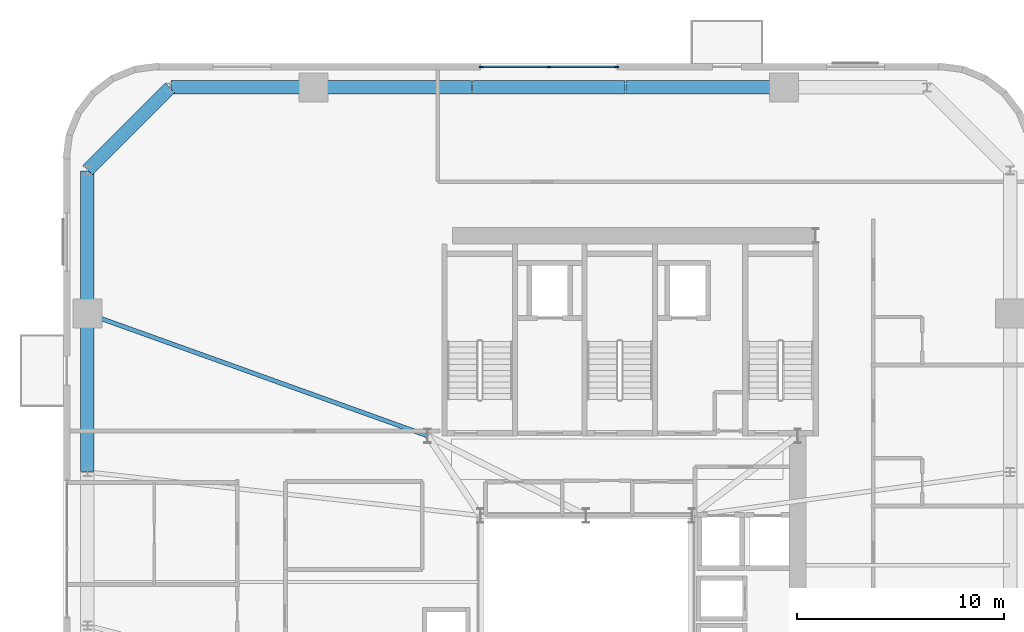
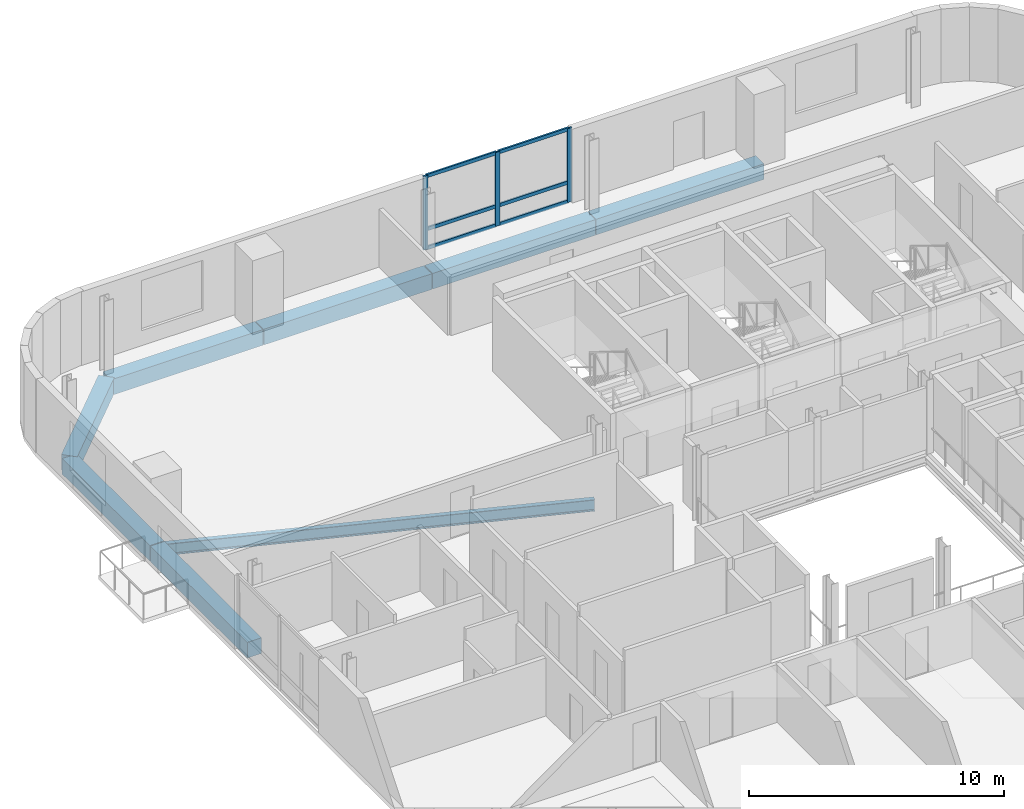
# One storey, part 5 of 13: 9 members, 8 beams, 1 element without a shape of its own.
"""IFC4 building model written with IfcOpenShell, lengths in metres."""

from ifc_helpers import new_model, si_unit, direction, frame, origin, origin_2d, place, context, subcontext, project, spatial, rectangle, i_section, extrude, source, transform, mapped, material, material_profile, profile_set, type_object, element, aggregate, save


model = new_model("IFC4")

# Units and contexts
model_context = context("Model", 3, precision=1e-05, world=origin(), true_north=direction((0.0, 1.0)))
body_context = subcontext(model_context, "Body", "Model", "MODEL_VIEW")
ifc_project = project(units=[si_unit("LENGTHUNIT", "METRE"), si_unit("AREAUNIT", "SQUARE_METRE"), si_unit("VOLUMEUNIT", "CUBIC_METRE"), si_unit("PLANEANGLEUNIT", "RADIAN"), si_unit("MASSUNIT", "GRAM", prefix="KILO")], contexts=[model_context])

# Site, building, storey
site_placement = place(None, origin())
site = spatial("IfcSite", under=ifc_project, at=site_placement, CompositionType="ELEMENT")
building_placement = place(site_placement, origin())
building = spatial("IfcBuilding", under=site, at=building_placement, Name="Vardaveli Station Tower", CompositionType="ELEMENT")
storey_placement = place(building_placement, frame((0.0, 0.0, 196.050048828125)))
storey = spatial("IfcBuildingStorey", under=building, at=storey_placement, Name="L50", CompositionType="ELEMENT", Elevation=196.050048828125)

# Beams
ifc_material_1 = material(Name="Precast concrete C45/55", Category="concrete")
ifc_material_profile_1 = material_profile(ifc_material_1, rectangle(XDim=0.64990234375, YDim=0.75, at=origin_2d()), Name="LPB 650x750")
ifc_profile_set_1 = profile_set([ifc_material_profile_1], Name="Precast concrete C45/55")
beam_type_1 = type_object("IfcBeamType", Name="BM-LPB-750", PredefinedType="BEAM", material=ifc_profile_set_1)
shared_shape_1 = source(origin(), body_context, "Body", "SweptSolid", [
    extrude(rectangle(XDim=0.64990234375, YDim=0.75, at=origin_2d()), origin(), (0.0, 0.0, 1.0), 7.60009765625),
])
for number, where, z_axis, x_axis, name in (
    (1, (45.820068359375, 47.449951171875, -0.594970703125), (-1.0, 0.0, 0.0), (0.0, -1.0, 0.0), "RBM-L50-13"),
    (2, (30.780029296875, 47.449951171875, -0.594970703125), (-1.0, 0.0, 0.0), (0.0, -1.0, 0.0), "RBM-L50-15"),
    (3, (12.25, 36.52001953125, -0.594970703125), (0.0, -1.0, 0.0), (1.0, 0.0, 0.0), "RBM-L50-19"),
):
    element("IfcBeam", number, at=place(storey_placement, frame(where, z_axis=z_axis, x_axis=x_axis)), inside=storey, type_object=beam_type_1, Name=name, PredefinedType="BEAM", context=body_context, shape_type="MappedRepresentation", body=[
        mapped(shared_shape_1, transform((0.0, 0.0, 0.0), scale=1.0)),
    ])
shared_shape_2 = source(origin(), body_context, "Body", "SweptSolid", [
    extrude(rectangle(XDim=0.64990234375, YDim=0.75, at=origin_2d()), origin(), (0.0, 0.0, 1.0), 7.35986328125),
])
beam_1_placement = place(storey_placement, frame((38.179931640625, 47.449951171875, -0.594970703125), z_axis=(-1.0, 0.0, 0.0), x_axis=(0.0, -1.0, 0.0)))
element("IfcBeam", 4, at=beam_1_placement, inside=storey, type_object=beam_type_1, Name="RBM-L50-14", PredefinedType="BEAM", context=body_context, shape_type="MappedRepresentation", body=[
    mapped(shared_shape_2, transform((0.0, 0.0, 0.0), scale=1.0)),
])
shared_shape_3 = source(origin(), body_context, "Body", "SweptSolid", [
    extrude(rectangle(XDim=0.64990234375, YDim=0.75, at=origin_2d()), origin(), (0.0, 0.0, 1.0), 6.869873046875),
])
for number, where, z_axis, x_axis, name in (
    (5, (23.139892578125, 47.449951171875, -0.594970703125), (-1.0, 0.0, 0.0), (0.0, -1.0, 0.0), "RBM-L50-16"),
    (6, (12.25, 43.429931640625, -0.594970703125), (0.0, -1.0, 0.0), (1.0, 0.0, 0.0), "RBM-L50-18"),
):
    element("IfcBeam", number, at=place(storey_placement, frame(where, z_axis=z_axis, x_axis=x_axis)), inside=storey, type_object=beam_type_1, Name=name, PredefinedType="BEAM", context=body_context, shape_type="MappedRepresentation", body=[
        mapped(shared_shape_3, transform((0.0, 0.0, 0.0), scale=1.0)),
    ])
shared_shape_4 = source(origin(), body_context, "Body", "SweptSolid", [
    extrude(rectangle(XDim=0.64990234375, YDim=0.75, at=origin_2d()), origin(), (0.0, 0.0, 1.0), 5.61669921875),
])
beam_2_placement = place(storey_placement, frame((16.23583984375, 47.435791015625, -0.594970703125), z_axis=(-0.707106781187, -0.707106781187, 0.0), x_axis=(0.707106781187, -0.707106781187, 0.0)))
element("IfcBeam", 7, at=beam_2_placement, inside=storey, type_object=beam_type_1, Name="RBM-L50-17", PredefinedType="BEAM", context=body_context, shape_type="MappedRepresentation", body=[
    mapped(shared_shape_4, transform((0.0, 0.0, 0.0), scale=1.0)),
])
ifc_material_2 = material(Name="Structural steel S355J2", Category="steel")
ifc_material_profile_2 = material_profile(ifc_material_2, i_section(OverallWidth=0.2099609375, OverallDepth=0.550048828125, WebThickness=0.010986328125, FlangeThickness=0.01708984375, FilletRadius=0.02392578125, at=origin_2d()), Name="IPE 550")
ifc_profile_set_2 = profile_set([ifc_material_profile_2], Name="Structural steel S355J2")
beam_type_2 = type_object("IfcBeamType", Name="BM-IPE550", PredefinedType="BEAM", material=ifc_profile_set_2)
shared_shape_5 = source(origin(), body_context, "Body", "SweptSolid", [
    extrude(i_section(OverallWidth=0.2099609375, OverallDepth=0.550048828125, WebThickness=0.010986328125, FlangeThickness=0.01708984375, FilletRadius=0.02392578125, at=origin_2d()), origin(), (0.0, 0.0, 1.0), 17.385498046875),
])
beam_3_placement = place(storey_placement, frame((12.268798828125, 36.533203125, -0.4951171875), z_axis=(0.941143134401, -0.338008284766, 0.0), x_axis=(0.338008284766, 0.941143134401, 0.0)))
element("IfcBeam", 8, at=beam_3_placement, inside=storey, type_object=beam_type_2, Name="GBM-L50-12", PredefinedType="BEAM", context=body_context, shape_type="MappedRepresentation", body=[
    mapped(shared_shape_5, transform((0.0, 0.0, 0.0), scale=1.0)),
])

# Curtain wall, members
ifc_material_3 = material(Name="Travertine stone and solar-control glass", Category="masonry")
curtain_wall_type = type_object("IfcCurtainWallType", Name="CW-SYS-5", PredefinedType="NOTDEFINED", material=ifc_material_3)
curtain_wall_placement = place(storey_placement, origin())
curtain_wall = element("IfcCurtainWall", 9, at=curtain_wall_placement, inside=storey, type_object=curtain_wall_type, Name="CW-L50-N", PredefinedType="NOTDEFINED")
ifc_material_4 = material(Name="Anodised aluminium alloy 6063-T6", Category="aluminium")
ifc_material_profile_3 = material_profile(ifc_material_4, rectangle(XDim=0.080078125, YDim=0.1650390625, at=origin_2d()), Name="CWT 80x165")
ifc_profile_set_3 = profile_set([ifc_material_profile_3], Name="Anodised aluminium alloy 6063-T6")
member_type_1 = type_object("IfcMemberType", Name="CW-SYS-5-TRAN", PredefinedType="NOTDEFINED", material=ifc_profile_set_3)
shared_shape_6 = source(origin(), body_context, "Body", "SweptSolid", [
    extrude(rectangle(XDim=0.080078125, YDim=0.1650390625, at=origin_2d()), origin(), (0.0, 0.0, 1.0), 3.179931640625),
])
member_1_placement = place(storey_placement, frame((37.719970703125, 48.43994140625, 0.0400390625), z_axis=(-1.0, 0.0, 0.0), x_axis=(0.0, -1.0, 0.0)))
member_1 = element("IfcMember", 10, at=member_1_placement, type_object=member_type_1, Name="CW-5 transom 1.1", ObjectType="TRANSOM", PredefinedType="USERDEFINED", context=body_context, shape_type="MappedRepresentation", body=[
    mapped(shared_shape_6, transform((0.0, 0.0, 0.0), scale=1.0)),
])
member_2_placement = place(storey_placement, frame((37.719970703125, 48.43994140625, 0.949951171875), z_axis=(-1.0, 0.0, 0.0), x_axis=(0.0, -1.0, 0.0)))
member_2 = element("IfcMember", 11, at=member_2_placement, type_object=member_type_1, Name="CW-5 transom 1.2", ObjectType="TRANSOM", PredefinedType="USERDEFINED", context=body_context, shape_type="MappedRepresentation", body=[
    mapped(shared_shape_6, transform((0.0, 0.0, 0.0), scale=1.0)),
])
member_3_placement = place(storey_placement, frame((37.719970703125, 48.43994140625, 3.489990234375), z_axis=(-1.0, 0.0, 0.0), x_axis=(0.0, -1.0, 0.0)))
member_3 = element("IfcMember", 12, at=member_3_placement, type_object=member_type_1, Name="CW-5 transom 1.3", ObjectType="TRANSOM", PredefinedType="USERDEFINED", context=body_context, shape_type="MappedRepresentation", body=[
    mapped(shared_shape_6, transform((0.0, 0.0, 0.0), scale=1.0)),
])
member_4_placement = place(storey_placement, frame((34.4599609375, 48.43994140625, 0.0400390625), z_axis=(-1.0, 0.0, 0.0), x_axis=(0.0, -1.0, 0.0)))
member_4 = element("IfcMember", 13, at=member_4_placement, type_object=member_type_1, Name="CW-5 transom 2.1", ObjectType="TRANSOM", PredefinedType="USERDEFINED", context=body_context, shape_type="MappedRepresentation", body=[
    mapped(shared_shape_6, transform((0.0, 0.0, 0.0), scale=1.0)),
])
member_5_placement = place(storey_placement, frame((34.4599609375, 48.43994140625, 0.949951171875), z_axis=(-1.0, 0.0, 0.0), x_axis=(0.0, -1.0, 0.0)))
member_5 = element("IfcMember", 14, at=member_5_placement, type_object=member_type_1, Name="CW-5 transom 2.2", ObjectType="TRANSOM", PredefinedType="USERDEFINED", context=body_context, shape_type="MappedRepresentation", body=[
    mapped(shared_shape_6, transform((0.0, 0.0, 0.0), scale=1.0)),
])
member_6_placement = place(storey_placement, frame((34.4599609375, 48.43994140625, 3.489990234375), z_axis=(-1.0, 0.0, 0.0), x_axis=(0.0, -1.0, 0.0)))
member_6 = element("IfcMember", 15, at=member_6_placement, type_object=member_type_1, Name="CW-5 transom 2.3", ObjectType="TRANSOM", PredefinedType="USERDEFINED", context=body_context, shape_type="MappedRepresentation", body=[
    mapped(shared_shape_6, transform((0.0, 0.0, 0.0), scale=1.0)),
])
ifc_material_profile_4 = material_profile(ifc_material_4, rectangle(XDim=0.080078125, YDim=0.205078125, at=origin_2d()), Name="CWM 80x205")
ifc_profile_set_4 = profile_set([ifc_material_profile_4], Name="Anodised aluminium alloy 6063-T6")
member_type_2 = type_object("IfcMemberType", Name="CW-SYS-5-MULL", PredefinedType="MULLION", material=ifc_profile_set_4)
shared_shape_7 = source(origin(), body_context, "Body", "SweptSolid", [
    extrude(rectangle(XDim=0.080078125, YDim=0.205078125, at=origin_2d()), origin(), (0.0, 0.0, 1.0), 3.530029296875),
])
member_7_placement = place(storey_placement, frame((37.760009765625, 48.43994140625, 0.0), z_axis=(0.0, 0.0, 1.0), x_axis=(0.0, -1.0, 0.0)))
member_7 = element("IfcMember", 16, at=member_7_placement, type_object=member_type_2, Name="CW-5 mullion 1", PredefinedType="MULLION", context=body_context, shape_type="MappedRepresentation", body=[
    mapped(shared_shape_7, transform((0.0, 0.0, 0.0), scale=1.0)),
])
member_8_placement = place(storey_placement, frame((34.5, 48.43994140625, 0.0), z_axis=(0.0, 0.0, 1.0), x_axis=(0.0, -1.0, 0.0)))
member_8 = element("IfcMember", 17, at=member_8_placement, type_object=member_type_2, Name="CW-5 mullion 2", PredefinedType="MULLION", context=body_context, shape_type="MappedRepresentation", body=[
    mapped(shared_shape_7, transform((0.0, 0.0, 0.0), scale=1.0)),
])
member_9_placement = place(storey_placement, frame((31.239990234375, 48.43994140625, 0.0), z_axis=(0.0, 0.0, 1.0), x_axis=(0.0, -1.0, 0.0)))
member_9 = element("IfcMember", 18, at=member_9_placement, type_object=member_type_2, Name="CW-5 mullion 3", PredefinedType="MULLION", context=body_context, shape_type="MappedRepresentation", body=[
    mapped(shared_shape_7, transform((0.0, 0.0, 0.0), scale=1.0)),
])
aggregate(curtain_wall, [member_7, member_8, member_9, member_1, member_2, member_3, member_4, member_5, member_6])

save(model, "model.ifc")
